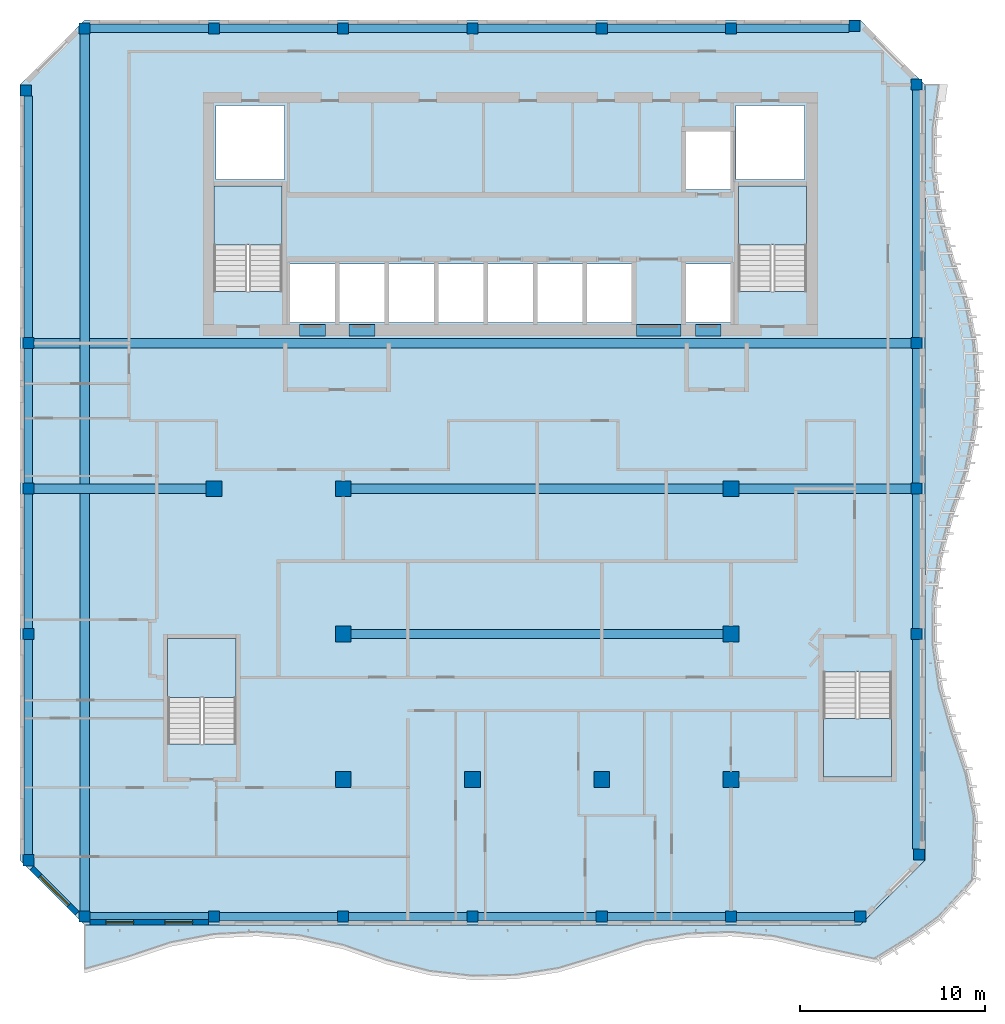
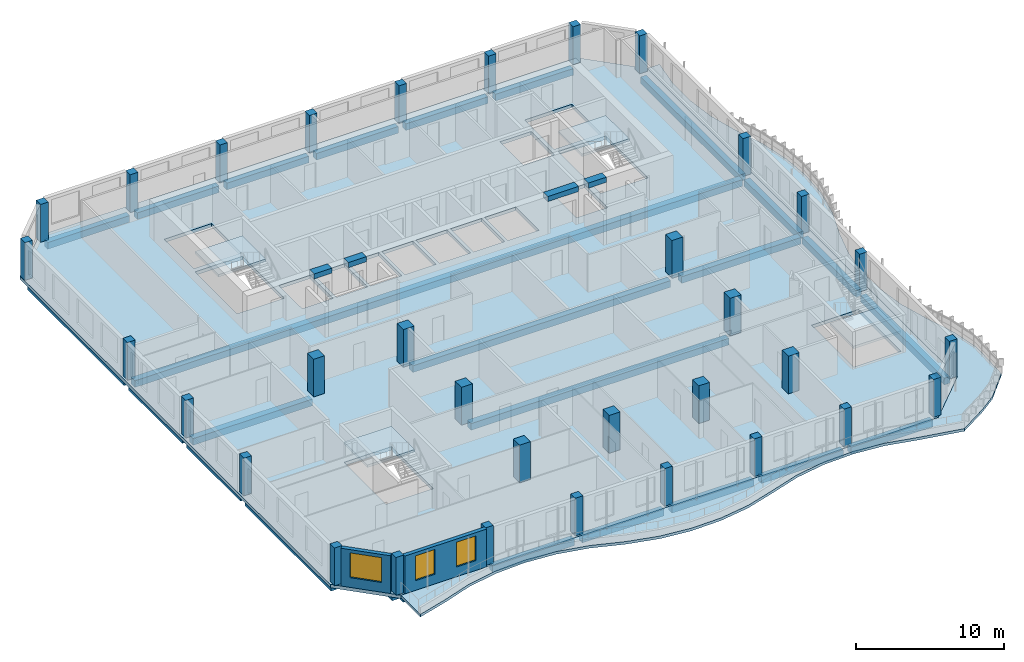
# One storey, part 1 of 17: 33 columns, 30 beams, 6 slabs, 3 windows, 2 walls, 3 openings, 4 elements without a shape of their own.
"""IFC4 building model written with IfcOpenShell, lengths in metres."""

from ifc_helpers import new_model, si_unit, direction, frame, frame_2d, origin, origin_2d, place, context, subcontext, project, spatial, polyline, rectangle, outline, extrude, source, transform, mapped, material, layer, layer_set, material_profile, profile_set, type_object, element, fill, aggregate, save


model = new_model("IFC4")

# Units and contexts
model_context = context("Model", 3, precision=1e-05, world=origin(), true_north=direction((0.0, 1.0)))
body_context = subcontext(model_context, "Body", "Model", "MODEL_VIEW")
ifc_project = project(units=[si_unit("LENGTHUNIT", "METRE"), si_unit("AREAUNIT", "SQUARE_METRE"), si_unit("VOLUMEUNIT", "CUBIC_METRE"), si_unit("PLANEANGLEUNIT", "RADIAN"), si_unit("MASSUNIT", "GRAM", prefix="KILO")], contexts=[model_context])

# Site, building, storey
site_placement = place(None, origin())
site = spatial("IfcSite", under=ifc_project, at=site_placement, CompositionType="ELEMENT")
building_placement = place(site_placement, origin())
building = spatial("IfcBuilding", under=site, at=building_placement, Name="Kilnfold Tower and Market Hall", CompositionType="ELEMENT")
storey_placement = place(building_placement, frame((0.0, 0.0, 305.199951171875)))
storey = spatial("IfcBuildingStorey", under=building, at=storey_placement, Name="L76", CompositionType="ELEMENT", Elevation=305.199951171875)

# Columns
ifc_material_1 = material(Name="Concrete C60", Category="concrete")
ifc_material_profile_1 = material_profile(ifc_material_1, rectangle(XDim=0.60009765625, YDim=0.60009765625, at=origin_2d()), Name="RC 600x600")
ifc_profile_set_1 = profile_set([ifc_material_profile_1], Name="Concrete C60")
column_type_1 = type_object("IfcColumnType", Name="COLUMN 600X600 C60", PredefinedType="COLUMN", material=ifc_profile_set_1)
shared_shape_1 = source(origin(), body_context, "Body", "SweptSolid", [
    extrude(rectangle(XDim=0.60009765625, YDim=0.60009765625, at=origin_2d()), origin(), (0.0, 0.0, 1.0), 3.1201171875),
])
for number, where, z_axis, x_axis, name in (
    (1, (-25.181884765625, 21.681884765625, 0.0), (0.0, 0.0, 1.0), (1.0, 0.0, 0.0), "Column C-B9-1G"),
    (2, (-25.050048828125, -20.0, 0.0), (0.0, 0.0, 1.0), (1.0, 0.0, 0.0), "Column C-B9-1B"),
    (3, (-25.050048828125, -7.75, 0.0), (0.0, 0.0, 1.0), (1.0, 0.0, 0.0), "Column C-B9-1D"),
    (4, (-25.050048828125, 0.125, 0.0), (0.0, 0.0, 1.0), (1.0, 0.0, 0.0), "Column C-B9-1E"),
    (5, (-25.050048828125, 8.0, 0.0), (0.0, 0.0, 1.0), (1.0, 0.0, 0.0), "Column C-B9-1F"),
    (6, (-22.0, -23.050048828125, 0.0), (0.0, 0.0, 1.0), (1.0, 0.0, 0.0), "Column C-B9-2A"),
    (7, (-22.0, 25.050048828125, 0.0), (0.0, 0.0, 1.0), (1.0, 0.0, 0.0), "Column C-B9-2H"),
    (8, (-15.0, -23.050048828125, 0.0), (0.0, 0.0, 1.0), (1.0, 0.0, 0.0), "Column C-B9-3A"),
    (9, (-15.0, 25.050048828125, 0.0), (0.0, 0.0, 1.0), (1.0, 0.0, 0.0), "Column C-B9-3H"),
    (10, (-8.0, -23.050048828125, 0.0), (0.0, 0.0, 1.0), (1.0, 0.0, 0.0), "Column C-B9-4A"),
    (11, (-8.0, 25.050048828125, 0.0), (0.0, 0.0, 1.0), (1.0, 0.0, 0.0), "Column C-B9-4H"),
    (12, (-1.0, -23.050048828125, 0.0), (0.0, 0.0, 1.0), (1.0, 0.0, 0.0), "Column C-B9-5A"),
    (13, (-1.0, 25.050048828125, 0.0), (0.0, 0.0, 1.0), (1.0, 0.0, 0.0), "Column C-B9-5H"),
    (14, (6.0, -23.050048828125, 0.0), (0.0, 0.0, 1.0), (1.0, 0.0, 0.0), "Column C-B9-6A"),
    (15, (6.0, 25.050048828125, 0.0), (0.0, 0.0, 1.0), (1.0, 0.0, 0.0), "Column C-B9-6H"),
    (16, (13.0, -23.050048828125, 0.0), (0.0, 0.0, 1.0), (1.0, 0.0, 0.0), "Column C-B9-7A"),
    (17, (13.0, 25.050048828125, 0.0), (0.0, 0.0, 1.0), (1.0, 0.0, 0.0), "Column C-B9-7H"),
    (18, (19.681884765625, 25.181884765625, 0.0), (0.0, 0.0, 1.0), (1.0, 0.0, 0.0), "Column C-B9-8H"),
    (19, (20.0, -23.050048828125, 0.0), (0.0, 0.0, 1.0), (1.0, 0.0, 0.0), "Column C-B9-8A"),
    (20, (23.050048828125, -7.75, 0.0), (0.0, 0.0, 1.0), (1.0, 0.0, 0.0), "Column C-B9-9D"),
    (21, (23.050048828125, 0.125, 0.0), (0.0, 0.0, 1.0), (1.0, 0.0, 0.0), "Column C-B9-9E"),
    (22, (23.050048828125, 8.0, 0.0), (0.0, 0.0, 1.0), (1.0, 0.0, 0.0), "Column C-B9-9F"),
    (23, (23.050048828125, 22.0, 0.0), (0.0, 0.0, 1.0), (1.0, 0.0, 0.0), "Column C-B9-9G"),
    (24, (23.181884765625, -19.681884765625, 0.0), (0.0, 0.0, 1.0), (1.0, 0.0, 0.0), "Column C-B9-9B"),
):
    element("IfcColumn", number, at=place(storey_placement, frame(where, z_axis=z_axis, x_axis=x_axis)), inside=storey, type_object=column_type_1, Name=name, PredefinedType="COLUMN", context=body_context, shape_type="MappedRepresentation", body=[
        mapped(shared_shape_1, transform((0.0, 0.0, 0.0))),
    ])
ifc_material_2 = material(Name="Concrete C60", Category="concrete")
ifc_material_profile_2 = material_profile(ifc_material_2, rectangle(XDim=0.85009765625, YDim=0.85009765625, at=origin_2d()), Name="RC 850x850")
ifc_profile_set_2 = profile_set([ifc_material_profile_2], Name="Concrete C60")
column_type_2 = type_object("IfcColumnType", Name="COLUMN 850X850 C60", PredefinedType="COLUMN", material=ifc_profile_set_2)
shared_shape_2 = source(origin(), body_context, "Body", "SweptSolid", [
    extrude(rectangle(XDim=0.85009765625, YDim=0.85009765625, at=origin_2d()), origin(), (0.0, 0.0, 1.0), 3.1201171875),
])
for number, where, z_axis, x_axis, name in (
    (25, (-15.0, 0.125, 0.0), (0.0, 0.0, 1.0), (1.0, 0.0, 0.0), "Column C-B9-3E"),
    (26, (-8.0, -15.625, 0.0), (0.0, 0.0, 1.0), (1.0, 0.0, 0.0), "Column C-B9-4C"),
    (27, (-8.0, -7.75, 0.0), (0.0, 0.0, 1.0), (1.0, 0.0, 0.0), "Column C-B9-4D"),
    (28, (-8.0, 0.125, 0.0), (0.0, 0.0, 1.0), (1.0, 0.0, 0.0), "Column C-B9-4E"),
    (29, (-1.0, -15.625, 0.0), (0.0, 0.0, 1.0), (1.0, 0.0, 0.0), "Column C-B9-5C"),
    (30, (6.0, -15.625, 0.0), (0.0, 0.0, 1.0), (1.0, 0.0, 0.0), "Column C-B9-6C"),
    (31, (13.0, -15.625, 0.0), (0.0, 0.0, 1.0), (1.0, 0.0, 0.0), "Column C-B9-7C"),
    (32, (13.0, -7.75, 0.0), (0.0, 0.0, 1.0), (1.0, 0.0, 0.0), "Column C-B9-7D"),
    (33, (13.0, 0.125, 0.0), (0.0, 0.0, 1.0), (1.0, 0.0, 0.0), "Column C-B9-7E"),
):
    element("IfcColumn", number, at=place(storey_placement, frame(where, z_axis=z_axis, x_axis=x_axis)), inside=storey, type_object=column_type_2, Name=name, PredefinedType="COLUMN", context=body_context, shape_type="MappedRepresentation", body=[
        mapped(shared_shape_2, transform((0.0, 0.0, 0.0))),
    ])

# Beams
ifc_material_3 = material(Name="Concrete C50", Category="concrete")
ifc_material_profile_3 = material_profile(ifc_material_3, rectangle(XDim=0.60009765625, YDim=0.419921875, at=origin_2d()), Name="RC 600x420")
ifc_profile_set_3 = profile_set([ifc_material_profile_3], Name="Concrete C50")
beam_type_1 = type_object("IfcBeamType", Name="COUPLING BEAM 600X420 C50", PredefinedType="BEAM", material=ifc_profile_set_3)
shared_shape_3 = source(origin(), body_context, "Body", "SweptSolid", [
    extrude(rectangle(XDim=0.60009765625, YDim=0.419921875, at=origin_2d()), origin(), (0.0, 0.0, 1.0), 1.400146484375),
])
beam_1_placement = place(storey_placement, frame((-10.3701171875, 8.699951171875, 2.91015625), z_axis=(1.0, 0.0, 0.0), x_axis=(0.0, 1.0, 0.0)))
element("IfcBeam", 34, at=beam_1_placement, inside=storey, type_object=beam_type_1, Name="Coupling beam CB420-50-CORE.30", PredefinedType="BEAM", context=body_context, shape_type="MappedRepresentation", body=[
    mapped(shared_shape_3, transform((0.0, 0.0, 0.0))),
])
shared_shape_4 = source(origin(), body_context, "Body", "SweptSolid", [
    extrude(rectangle(XDim=0.60009765625, YDim=0.419921875, at=origin_2d()), origin(), (0.0, 0.0, 1.0), 1.39990234375),
])
for number, where, z_axis, x_axis, name in (
    (35, (-7.68994140625, 8.699951171875, 2.91015625), (1.0, 0.0, 0.0), (0.0, 1.0, 0.0), "Coupling beam CB420-50-CORE.31"),
    (36, (11.070068359375, 8.699951171875, 2.91015625), (1.0, 0.0, 0.0), (0.0, 1.0, 0.0), "Coupling beam CB420-50-CORE.33"),
):
    element("IfcBeam", number, at=place(storey_placement, frame(where, z_axis=z_axis, x_axis=x_axis)), inside=storey, type_object=beam_type_1, Name=name, PredefinedType="BEAM", context=body_context, shape_type="MappedRepresentation", body=[
        mapped(shared_shape_4, transform((0.0, 0.0, 0.0))),
    ])
shared_shape_5 = source(origin(), body_context, "Body", "SweptSolid", [
    extrude(rectangle(XDim=0.60009765625, YDim=0.419921875, at=origin_2d()), origin(), (0.0, 0.0, 1.0), 2.400146484375),
])
beam_2_placement = place(storey_placement, frame((7.889892578125, 8.699951171875, 2.91015625), z_axis=(1.0, 0.0, 0.0), x_axis=(0.0, 1.0, 0.0)))
element("IfcBeam", 37, at=beam_2_placement, inside=storey, type_object=beam_type_1, Name="Coupling beam CB420-50-CORE.32", PredefinedType="BEAM", context=body_context, shape_type="MappedRepresentation", body=[
    mapped(shared_shape_5, transform((0.0, 0.0, 0.0))),
])
ifc_material_4 = material(Name="Concrete C45", Category="concrete")
ifc_material_profile_4 = material_profile(ifc_material_4, rectangle(XDim=0.449951171875, YDim=0.550048828125, at=origin_2d()), Name="RC 450x550")
ifc_profile_set_4 = profile_set([ifc_material_profile_4], Name="Concrete C45")
beam_type_2 = type_object("IfcBeamType", Name="EDGE BEAM 450X550 C45", PredefinedType="BEAM", material=ifc_profile_set_4)
shared_shape_6 = source(origin(), body_context, "Body", "SweptSolid", [
    extrude(rectangle(XDim=0.449951171875, YDim=0.550048828125, at=origin_2d()), origin(), (0.0, 0.0, 1.0), 6.39990234375),
])
for number, where, z_axis, x_axis, name in (
    (38, (-21.699951171875, -23.050048828125, -0.554931640625), (1.0, 0.0, 0.0), (0.0, 1.0, 0.0), "Beam EB550-B9.38"),
    (39, (-14.699951171875, -23.050048828125, -0.554931640625), (1.0, 0.0, 0.0), (0.0, 1.0, 0.0), "Beam EB550-B9.39"),
    (40, (-7.699951171875, -23.050048828125, -0.554931640625), (1.0, 0.0, 0.0), (0.0, 1.0, 0.0), "Beam EB550-B9.40"),
    (41, (-0.699951171875, -23.050048828125, -0.554931640625), (1.0, 0.0, 0.0), (0.0, 1.0, 0.0), "Beam EB550-B9.41"),
    (42, (6.300048828125, -23.050048828125, -0.554931640625), (1.0, 0.0, 0.0), (0.0, 1.0, 0.0), "Beam EB550-B9.42"),
    (43, (13.300048828125, -23.050048828125, -0.554931640625), (1.0, 0.0, 0.0), (0.0, 1.0, 0.0), "Beam EB550-B9.43"),
    (44, (-21.699951171875, 25.050048828125, -0.554931640625), (1.0, 0.0, 0.0), (0.0, 1.0, 0.0), "Beam EB550-B9.49"),
    (45, (-14.699951171875, 25.050048828125, -0.554931640625), (1.0, 0.0, 0.0), (0.0, 1.0, 0.0), "Beam EB550-B9.50"),
    (46, (-7.699951171875, 25.050048828125, -0.554931640625), (1.0, 0.0, 0.0), (0.0, 1.0, 0.0), "Beam EB550-B9.51"),
    (47, (-0.699951171875, 25.050048828125, -0.554931640625), (1.0, 0.0, 0.0), (0.0, 1.0, 0.0), "Beam EB550-B9.52"),
    (48, (6.300048828125, 25.050048828125, -0.554931640625), (1.0, 0.0, 0.0), (0.0, 1.0, 0.0), "Beam EB550-B9.53"),
):
    element("IfcBeam", number, at=place(storey_placement, frame(where, z_axis=z_axis, x_axis=x_axis)), inside=storey, type_object=beam_type_2, Name=name, PredefinedType="BEAM", context=body_context, shape_type="MappedRepresentation", body=[
        mapped(shared_shape_6, transform((0.0, 0.0, 0.0))),
    ])
ifc_material_5 = material(Name="Concrete C45", Category="concrete")
ifc_material_profile_5 = material_profile(ifc_material_5, rectangle(XDim=0.5, YDim=0.550048828125, at=origin_2d()), Name="RC 500x550")
ifc_profile_set_5 = profile_set([ifc_material_profile_5], Name="Concrete C45")
beam_type_3 = type_object("IfcBeamType", Name="BEAM 500X550 C45", PredefinedType="BEAM", material=ifc_profile_set_5)
shared_shape_7 = source(origin(), body_context, "Body", "SweptSolid", [
    extrude(rectangle(XDim=0.5, YDim=0.550048828125, at=origin_2d()), origin(), (0.0, 0.0, 1.0), 20.14990234375),
])
for number, where, z_axis, x_axis, name in (
    (49, (-7.574951171875, -7.75, -0.554931640625), (1.0, 0.0, 0.0), (0.0, 1.0, 0.0), "Beam BB550-B9.44"),
    (50, (-7.574951171875, 0.1201171875, -0.554931640625), (1.0, 0.0, 0.0), (0.0, 1.0, 0.0), "Beam BB550-B9.46"),
):
    element("IfcBeam", number, at=place(storey_placement, frame(where, z_axis=z_axis, x_axis=x_axis)), inside=storey, type_object=beam_type_3, Name=name, PredefinedType="BEAM", context=body_context, shape_type="MappedRepresentation", body=[
        mapped(shared_shape_7, transform((0.0, 0.0, 0.0))),
    ])
shared_shape_8 = source(origin(), body_context, "Body", "SweptSolid", [
    extrude(rectangle(XDim=0.5, YDim=0.550048828125, at=origin_2d()), origin(), (0.0, 0.0, 1.0), 9.324951171875),
])
for number, where, z_axis, x_axis, name in (
    (51, (-24.75, 0.1201171875, -0.554931640625), (1.0, 0.0, 0.0), (0.0, 1.0, 0.0), "Beam BB550-B9.45"),
    (52, (13.425048828125, 0.1201171875, -0.554931640625), (1.0, 0.0, 0.0), (0.0, 1.0, 0.0), "Beam BB550-B9.47"),
):
    element("IfcBeam", number, at=place(storey_placement, frame(where, z_axis=z_axis, x_axis=x_axis)), inside=storey, type_object=beam_type_3, Name=name, PredefinedType="BEAM", context=body_context, shape_type="MappedRepresentation", body=[
        mapped(shared_shape_8, transform((0.0, 0.0, 0.0))),
    ])
shared_shape_9 = source(origin(), body_context, "Body", "SweptSolid", [
    extrude(rectangle(XDim=0.5, YDim=0.550048828125, at=origin_2d()), origin(), (0.0, 0.0, 1.0), 47.5),
])
for number, where, z_axis, x_axis, name in (
    (53, (-24.75, 8.0, -0.554931640625), (1.0, 0.0, 0.0), (0.0, 1.0, 0.0), "Beam BB550-B9.48"),
    (54, (-22.0, -22.75, -0.554931640625), (0.0, 1.0, 0.0), (-1.0, 0.0, 0.0), "Beam BB550-B9.59"),
):
    element("IfcBeam", number, at=place(storey_placement, frame(where, z_axis=z_axis, x_axis=x_axis)), inside=storey, type_object=beam_type_3, Name=name, PredefinedType="BEAM", context=body_context, shape_type="MappedRepresentation", body=[
        mapped(shared_shape_9, transform((0.0, 0.0, 0.0))),
    ])
shared_shape_10 = source(origin(), body_context, "Body", "SweptSolid", [
    extrude(rectangle(XDim=0.449951171875, YDim=0.550048828125, at=origin_2d()), origin(), (0.0, 0.0, 1.0), 6.081787109375),
])
beam_3_placement = place(storey_placement, frame((13.300048828125, 25.050048828125, -0.554931640625), z_axis=(1.0, 0.0, 0.0), x_axis=(0.0, 1.0, 0.0)))
element("IfcBeam", 55, at=beam_3_placement, inside=storey, type_object=beam_type_2, Name="Beam EB550-B9.54", PredefinedType="BEAM", context=body_context, shape_type="MappedRepresentation", body=[
    mapped(shared_shape_10, transform((0.0, 0.0, 0.0))),
])
shared_shape_11 = source(origin(), body_context, "Body", "SweptSolid", [
    extrude(rectangle(XDim=0.449951171875, YDim=0.550048828125, at=origin_2d()), origin(), (0.0, 0.0, 1.0), 11.64990234375),
])
beam_4_placement = place(storey_placement, frame((-25.050048828125, -19.699951171875, -0.554931640625), z_axis=(0.0, 1.0, 0.0), x_axis=(-1.0, 0.0, 0.0)))
element("IfcBeam", 56, at=beam_4_placement, inside=storey, type_object=beam_type_2, Name="Beam EB550-B9.55", PredefinedType="BEAM", context=body_context, shape_type="MappedRepresentation", body=[
    mapped(shared_shape_11, transform((0.0, 0.0, 0.0))),
])
shared_shape_12 = source(origin(), body_context, "Body", "SweptSolid", [
    extrude(rectangle(XDim=0.449951171875, YDim=0.550048828125, at=origin_2d()), origin(), (0.0, 0.0, 1.0), 7.27490234375),
])
for number, where, z_axis, x_axis, name in (
    (57, (-25.050048828125, -7.449951171875, -0.554931640625), (0.0, 1.0, 0.0), (-1.0, 0.0, 0.0), "Beam EB550-B9.56"),
    (58, (-25.050048828125, 0.425048828125, -0.554931640625), (0.0, 1.0, 0.0), (-1.0, 0.0, 0.0), "Beam EB550-B9.57"),
    (59, (23.050048828125, -7.449951171875, -0.554931640625), (0.0, 1.0, 0.0), (-1.0, 0.0, 0.0), "Beam EB550-B9.61"),
    (60, (23.050048828125, 0.425048828125, -0.554931640625), (0.0, 1.0, 0.0), (-1.0, 0.0, 0.0), "Beam EB550-B9.62"),
):
    element("IfcBeam", number, at=place(storey_placement, frame(where, z_axis=z_axis, x_axis=x_axis)), inside=storey, type_object=beam_type_2, Name=name, PredefinedType="BEAM", context=body_context, shape_type="MappedRepresentation", body=[
        mapped(shared_shape_12, transform((0.0, 0.0, 0.0))),
    ])
shared_shape_13 = source(origin(), body_context, "Body", "SweptSolid", [
    extrude(rectangle(XDim=0.449951171875, YDim=0.550048828125, at=origin_2d()), origin(), (0.0, 0.0, 1.0), 13.081787109375),
])
beam_5_placement = place(storey_placement, frame((-25.050048828125, 8.300048828125, -0.554931640625), z_axis=(0.0, 1.0, 0.0), x_axis=(-1.0, 0.0, 0.0)))
element("IfcBeam", 61, at=beam_5_placement, inside=storey, type_object=beam_type_2, Name="Beam EB550-B9.58", PredefinedType="BEAM", context=body_context, shape_type="MappedRepresentation", body=[
    mapped(shared_shape_13, transform((0.0, 0.0, 0.0))),
])
shared_shape_14 = source(origin(), body_context, "Body", "SweptSolid", [
    extrude(rectangle(XDim=0.449951171875, YDim=0.550048828125, at=origin_2d()), origin(), (0.0, 0.0, 1.0), 11.331787109375),
])
beam_6_placement = place(storey_placement, frame((23.050048828125, -19.3818359375, -0.554931640625), z_axis=(0.0, 1.0, 0.0), x_axis=(-1.0, 0.0, 0.0)))
element("IfcBeam", 62, at=beam_6_placement, inside=storey, type_object=beam_type_2, Name="Beam EB550-B9.60", PredefinedType="BEAM", context=body_context, shape_type="MappedRepresentation", body=[
    mapped(shared_shape_14, transform((0.0, 0.0, 0.0))),
])
shared_shape_15 = source(origin(), body_context, "Body", "SweptSolid", [
    extrude(rectangle(XDim=0.449951171875, YDim=0.550048828125, at=origin_2d()), origin(), (0.0, 0.0, 1.0), 13.39990234375),
])
beam_7_placement = place(storey_placement, frame((23.050048828125, 8.300048828125, -0.554931640625), z_axis=(0.0, 1.0, 0.0), x_axis=(-1.0, 0.0, 0.0)))
element("IfcBeam", 63, at=beam_7_placement, inside=storey, type_object=beam_type_2, Name="Beam EB550-B9.63", PredefinedType="BEAM", context=body_context, shape_type="MappedRepresentation", body=[
    mapped(shared_shape_15, transform((0.0, 0.0, 0.0))),
])

# Slabs
ifc_material_6 = material(Name="Concrete C45", Category="concrete")
ifc_layer_1 = layer(ifc_material_6, 0.280029296875)
ifc_layer_set_1 = layer_set([ifc_layer_1], Name="Concrete C45")
slab_type_1 = type_object("IfcSlabType", Name="FLOOR SLAB 280", PredefinedType="FLOOR", material=ifc_layer_set_1)
shared_shape_16 = source(origin(), body_context, "Body", "SweptSolid", [
    extrude(outline(polyline([(-22.0, -23.5), (20.0, -23.5), (23.5, -20.0), (23.5, 22.0), (20.0, 25.5), (-22.0, 25.5), (-25.5, 22.0), (-25.5, -20.0), (-22.0, -23.5)]), holes=[polyline([(-13.800537109375, -8.00048828125), (-13.800537109375, -13.699462890625), (-17.49951171875, -13.699462890625), (-17.49951171875, -8.00048828125), (-13.800537109375, -8.00048828125)]), polyline([(-11.300537109375, 10.800537109375), (-14.99951171875, 10.800537109375), (-14.99951171875, 16.49951171875), (-11.300537109375, 16.49951171875), (-11.300537109375, 10.800537109375)]), polyline([(-11.175048828125, 16.875), (-14.875, 16.875), (-14.875, 20.875), (-11.175048828125, 20.875), (-11.175048828125, 16.875)]), polyline([(-8.455078125, 9.125), (-10.885009765625, 9.125), (-10.885009765625, 12.27490234375), (-8.455078125, 12.27490234375), (-8.455078125, 9.125)]), polyline([(-5.77490234375, 9.125), (-8.205078125, 9.125), (-8.205078125, 12.27490234375), (-5.77490234375, 12.27490234375), (-5.77490234375, 9.125)]), polyline([(-3.094970703125, 9.125), (-5.52490234375, 9.125), (-5.52490234375, 12.27490234375), (-3.094970703125, 12.27490234375), (-3.094970703125, 9.125)]), polyline([(-0.4150390625, 9.125), (-2.844970703125, 9.125), (-2.844970703125, 12.27490234375), (-0.4150390625, 12.27490234375), (-0.4150390625, 9.125)]), polyline([(2.264892578125, 9.125), (-0.1650390625, 9.125), (-0.1650390625, 12.27490234375), (2.264892578125, 12.27490234375), (2.264892578125, 9.125)]), polyline([(4.945068359375, 9.125), (2.514892578125, 9.125), (2.514892578125, 12.27490234375), (4.945068359375, 12.27490234375), (4.945068359375, 9.125)]), polyline([(7.625, 9.125), (5.195068359375, 9.125), (5.195068359375, 12.27490234375), (7.625, 12.27490234375), (7.625, 9.125)]), polyline([(12.985107421875, 9.125), (10.554931640625, 9.125), (10.554931640625, 12.27490234375), (12.985107421875, 12.27490234375), (12.985107421875, 9.125)]), polyline([(12.985107421875, 16.324951171875), (10.554931640625, 16.324951171875), (10.554931640625, 19.47509765625), (12.985107421875, 19.47509765625), (12.985107421875, 16.324951171875)]), polyline([(16.97509765625, 16.875), (13.27490234375, 16.875), (13.27490234375, 20.875), (16.97509765625, 20.875), (16.97509765625, 16.875)]), polyline([(17.099609375, 10.800537109375), (13.400390625, 10.800537109375), (13.400390625, 16.49951171875), (17.099609375, 16.49951171875), (17.099609375, 10.800537109375)]), polyline([(18.00048828125, -9.800537109375), (21.699462890625, -9.800537109375), (21.699462890625, -15.49951171875), (18.00048828125, -15.49951171875), (18.00048828125, -9.800537109375)])]), origin(), (0.0, 0.0, 1.0), 0.280029296875),
])
slab_1_placement = place(storey_placement, frame((0.0, 0.0, -0.280029296875)))
element("IfcSlab", 64, at=slab_1_placement, inside=storey, type_object=slab_type_1, Name="Floor slab L76", PredefinedType="FLOOR", context=body_context, shape_type="MappedRepresentation", body=[
    mapped(shared_shape_16, transform((0.0, 0.0, 0.0))),
])
ifc_material_7 = material(Name="Concrete C40/50", Category="concrete")
ifc_layer_2 = layer(ifc_material_7, 0.219970703125)
ifc_layer_set_2 = layer_set([ifc_layer_2], Name="Concrete C40/50")
slab_type_2 = type_object("IfcSlabType", Name="BALCONY SLAB 220", PredefinedType="FLOOR", material=ifc_layer_set_2)
shared_shape_17 = source(origin(), body_context, "Body", "SweptSolid", [
    extrude(outline(polyline([(-22.0, -23.5), (20.0, -23.5), (23.5, -20.0), (23.5, 22.0), (24.482421875, 22.0), (24.1484375, 19.666748046875), (24.130859375, 17.333251953125), (24.428955078125, 15.0), (25.059814453125, 12.666748046875), (25.862060546875, 10.333251953125), (26.34228515625, 8.0), (26.5, 5.666748046875), (26.343505859375, 3.333251953125), (25.864501953125, 1.0), (25.06298828125, -1.333251953125), (24.4306640625, -3.666748046875), (24.13134765625, -6.0), (24.147705078125, -8.333251953125), (24.480712890625, -10.666748046875), (25.1494140625, -13.0), (25.930419921875, -15.333251953125), (26.374755859375, -17.666748046875), (26.27001953125, -21.1474609375), (24.38134765625, -23.214599609375), (23.02978515625, -24.1962890625), (20.844482421875, -25.53857421875), (17.666748046875, -24.88671875), (15.333251953125, -24.33349609375), (13.0, -24.107421875), (10.666748046875, -24.19580078125), (8.333251953125, -24.603515625), (6.0, -25.35302734375), (3.666748046875, -26.061767578125), (1.333251953125, -26.430908203125), (-1.0, -26.482421875), (-3.333251953125, -26.218994140625), (-5.666748046875, -25.62548828125), (-8.0, -24.810302734375), (-10.333251953125, -24.293701171875), (-12.666748046875, -24.101806640625), (-15.0, -24.22412109375), (-17.333251953125, -24.66748046875), (-19.666748046875, -25.447265625), (-22.0, -26.117431640625), (-22.0, -23.5)])), origin(), (0.0, 0.0, 1.0), 0.219970703125),
])
slab_2_placement = place(storey_placement, frame((0.0, 0.0, -0.219970703125)))
element("IfcSlab", 65, at=slab_2_placement, inside=storey, type_object=slab_type_2, Name="Balcony slab L76", PredefinedType="FLOOR", context=body_context, shape_type="MappedRepresentation", body=[
    mapped(shared_shape_17, transform((0.0, 0.0, 0.0))),
])

# Stair, slab
ifc_material_8 = material(Name="Concrete C40/50", Category="concrete")
stair_type = type_object("IfcStairType", Name="CORE STAIR 1800", PredefinedType="HALF_TURN_STAIR", material=ifc_material_8)
stair_1_placement = place(storey_placement, origin())
stair_1 = element("IfcStair", 66, at=stair_1_placement, inside=storey, type_object=stair_type, Name="L76 ST1", PredefinedType="HALF_TURN_STAIR")
ifc_material_9 = material(Name="Concrete C40/50", Category="concrete")
ifc_layer_3 = layer(ifc_material_9, 0.199951171875)
ifc_layer_set_3 = layer_set([ifc_layer_3], Name="Concrete C40/50")
slab_type_3 = type_object("IfcSlabType", Name="CORE STAIR LANDING 200", PredefinedType="LANDING", material=ifc_layer_set_3)
shared_shape_18 = source(origin(), body_context, "Body", "SweptSolid", [
    extrude(outline(polyline([(-11.300048828125, 13.320068359375), (-11.300048828125, 16.5), (-15.0, 16.5), (-15.0, 13.320068359375), (-11.300048828125, 13.320068359375)])), origin(), (0.0, 0.0, 1.0), 0.199951171875),
])
slab_3_placement = place(storey_placement, frame((0.0, 0.0, 1.5)))
slab_3 = element("IfcSlab", 67, at=slab_3_placement, type_object=slab_type_3, Name="ST1 landing 1", PredefinedType="LANDING", context=body_context, shape_type="MappedRepresentation", body=[
    mapped(shared_shape_18, transform((0.0, 0.0, 0.0))),
])
aggregate(stair_1, [slab_3])

stair_2_placement = place(storey_placement, origin())
stair_2 = element("IfcStair", 68, at=stair_2_placement, inside=storey, type_object=stair_type, Name="L76 ST2", PredefinedType="HALF_TURN_STAIR")
shared_shape_19 = source(origin(), body_context, "Body", "SweptSolid", [
    extrude(outline(polyline([(17.10009765625, 13.320068359375), (17.10009765625, 16.5), (13.39990234375, 16.5), (13.39990234375, 13.320068359375), (17.10009765625, 13.320068359375)])), origin(), (0.0, 0.0, 1.0), 0.199951171875),
])
slab_4_placement = place(storey_placement, frame((0.0, 0.0, 1.5)))
slab_4 = element("IfcSlab", 69, at=slab_4_placement, type_object=slab_type_3, Name="ST2 landing 1", PredefinedType="LANDING", context=body_context, shape_type="MappedRepresentation", body=[
    mapped(shared_shape_19, transform((0.0, 0.0, 0.0))),
])
aggregate(stair_2, [slab_4])

stair_3_placement = place(storey_placement, origin())
stair_3 = element("IfcStair", 70, at=stair_3_placement, inside=storey, type_object=stair_type, Name="L76 ST3", PredefinedType="HALF_TURN_STAIR")
shared_shape_20 = source(origin(), body_context, "Body", "SweptSolid", [
    extrude(outline(polyline([(-13.800048828125, -11.179931640625), (-13.800048828125, -8.0), (-17.5, -8.0), (-17.5, -11.179931640625), (-13.800048828125, -11.179931640625)])), origin(), (0.0, 0.0, 1.0), 0.199951171875),
])
slab_5_placement = place(storey_placement, frame((0.0, 0.0, 1.5)))
slab_5 = element("IfcSlab", 71, at=slab_5_placement, type_object=slab_type_3, Name="ST3 landing 1", PredefinedType="LANDING", context=body_context, shape_type="MappedRepresentation", body=[
    mapped(shared_shape_20, transform((0.0, 0.0, 0.0))),
])
aggregate(stair_3, [slab_5])

stair_4_placement = place(storey_placement, origin())
stair_4 = element("IfcStair", 72, at=stair_4_placement, inside=storey, type_object=stair_type, Name="L76 ST4", PredefinedType="HALF_TURN_STAIR")
shared_shape_21 = source(origin(), body_context, "Body", "SweptSolid", [
    extrude(outline(polyline([(18.0, -12.320068359375), (18.0, -15.5), (21.699951171875, -15.5), (21.699951171875, -12.320068359375), (18.0, -12.320068359375)])), origin(), (0.0, 0.0, 1.0), 0.199951171875),
])
slab_6_placement = place(storey_placement, frame((0.0, 0.0, 1.5)))
slab_6 = element("IfcSlab", 73, at=slab_6_placement, type_object=slab_type_3, Name="ST4 landing 1", PredefinedType="LANDING", context=body_context, shape_type="MappedRepresentation", body=[
    mapped(shared_shape_21, transform((0.0, 0.0, 0.0))),
])
aggregate(stair_4, [slab_6])

# Wall, openings, windows
ifc_material_10 = material(Name="Precast concrete C50/60", Category="concrete")
ifc_layer_4 = layer(ifc_material_10, 0.300048828125)
ifc_layer_set_4 = layer_set([ifc_layer_4], Name="Precast concrete C50/60")
wall_type = type_object("IfcWallType", Name="PRECAST WALL 300", PredefinedType="SOLIDWALL", material=ifc_layer_set_4)
shared_shape_22 = source(origin(), body_context, "Body", "SweptSolid", [
    extrude(rectangle(XDim=6.39990234375, YDim=0.300048828125, at=frame_2d((3.199951171875, 0.0))), origin(), (0.0, 0.0, 1.0), 3.1201171875),
])
wall_1_placement = place(storey_placement, frame((-21.699951171875, -23.35009765625, 0.0), z_axis=(0.0, 0.0, 1.0), x_axis=(1.0, 0.0, 0.0)))
wall_1 = element("IfcWall", 74, at=wall_1_placement, inside=storey, type_object=wall_type, Name="External wall L76 S", PredefinedType="SOLIDWALL", context=body_context, shape_type="MappedRepresentation", body=[
    mapped(shared_shape_22, transform((0.0, 0.0, 0.0))),
])
opening_1_placement = place(wall_1_placement, frame((0.85009765625, 0.0, 0.800048828125)))
opening_1 = element("IfcOpeningElement", 75, at=opening_1_placement, cuts=wall_1, Name="Opening W5", PredefinedType="OPENING", context=body_context, shape_type="SweptSolid", body=[
    extrude(rectangle(XDim=1.5, YDim=2.050048828125, at=frame_2d((0.75, 1.02490234375))), frame((0.0, 0.16015625, 0.0), z_axis=(0.0, -1.0, 0.0), x_axis=(1.0, 0.0, 0.0)), (0.0, 0.0, 1.0), 0.320068359375),
])
opening_2_placement = place(wall_1_placement, frame((4.050048828125, 0.0, 0.800048828125)))
opening_2 = element("IfcOpeningElement", 76, at=opening_2_placement, cuts=wall_1, Name="Opening W5", PredefinedType="OPENING", context=body_context, shape_type="SweptSolid", body=[
    extrude(rectangle(XDim=1.5, YDim=2.050048828125, at=frame_2d((0.75, 1.02490234375))), frame((0.0, 0.16015625, 0.0), z_axis=(0.0, -1.0, 0.0), x_axis=(1.0, 0.0, 0.0)), (0.0, 0.0, 1.0), 0.320068359375),
])
ifc_material_11 = material(Name="Aluminium frame and double glazing", Category="aluminium")
window_type_1 = type_object("IfcWindowType", Name="WINDOW W5 1500X2050", PartitioningType="SINGLE_PANEL", PredefinedType="WINDOW", material=ifc_material_11)
window_1_placement = place(opening_1_placement, origin())
window_1 = element("IfcWindow", 77, at=window_1_placement, inside=storey, type_object=window_type_1, Name="Window W5 L76 S-1", OverallHeight=2.050048828125, OverallWidth=1.5, PartitioningType="SINGLE_PANEL", PredefinedType="WINDOW", context=body_context, shape_type="SweptSolid", body=[
    extrude(rectangle(XDim=1.5, YDim=2.050048828125, at=frame_2d((0.75, 1.02490234375))), frame((0.0, 0.030029296875, 0.0), z_axis=(0.0, -1.0, 0.0), x_axis=(1.0, 0.0, 0.0)), (0.0, 0.0, 1.0), 0.06005859375),
])
fill(opening_1, window_1)
window_2_placement = place(opening_2_placement, origin())
window_2 = element("IfcWindow", 78, at=window_2_placement, inside=storey, type_object=window_type_1, Name="Window W5 L76 S-2", OverallHeight=2.050048828125, OverallWidth=1.5, PartitioningType="SINGLE_PANEL", PredefinedType="WINDOW", context=body_context, shape_type="SweptSolid", body=[
    extrude(rectangle(XDim=1.5, YDim=2.050048828125, at=frame_2d((0.75, 1.02490234375))), frame((0.0, 0.030029296875, 0.0), z_axis=(0.0, -1.0, 0.0), x_axis=(1.0, 0.0, 0.0)), (0.0, 0.0, 1.0), 0.06005859375),
])
fill(opening_2, window_2)

# Wall, opening, window
shared_shape_23 = source(origin(), body_context, "Body", "SweptSolid", [
    extrude(rectangle(XDim=3.46484375, YDim=0.300048828125, at=frame_2d((1.732421875, 0.0))), origin(), (0.0, 0.0, 1.0), 3.1201171875),
])
wall_2_placement = place(storey_placement, frame((-24.868896484375, -20.4189453125, 0.0), z_axis=(0.0, 0.0, 1.0), x_axis=(0.707106781187, -0.707106781187, 0.0)))
wall_2 = element("IfcWall", 79, at=wall_2_placement, inside=storey, type_object=wall_type, Name="External wall L76 SW", PredefinedType="SOLIDWALL", context=body_context, shape_type="MappedRepresentation", body=[
    mapped(shared_shape_23, transform((0.0, 0.0, 0.0))),
])
opening_3_placement = place(wall_2_placement, frame((0.63232421875, 0.0, 0.800048828125)))
opening_3 = element("IfcOpeningElement", 80, at=opening_3_placement, cuts=wall_2, Name="Opening W3", PredefinedType="OPENING", context=body_context, shape_type="SweptSolid", body=[
    extrude(rectangle(XDim=2.199951171875, YDim=2.050048828125, at=frame_2d((1.10009765625, 1.02490234375))), frame((0.0, 0.16015625, 0.0), z_axis=(0.0, -1.0, 0.0), x_axis=(1.0, 0.0, 0.0)), (0.0, 0.0, 1.0), 0.320068359375),
])
ifc_material_12 = material(Name="Aluminium frame and double glazing", Category="aluminium")
window_type_2 = type_object("IfcWindowType", Name="WINDOW W3 2200X2050", PartitioningType="SINGLE_PANEL", PredefinedType="WINDOW", material=ifc_material_12)
window_3_placement = place(opening_3_placement, origin())
window_3 = element("IfcWindow", 81, at=window_3_placement, inside=storey, type_object=window_type_2, Name="Window W3 L76 SW-1", OverallHeight=2.050048828125, OverallWidth=2.199951171875, PartitioningType="SINGLE_PANEL", PredefinedType="WINDOW", context=body_context, shape_type="SweptSolid", body=[
    extrude(rectangle(XDim=2.199951171875, YDim=2.050048828125, at=frame_2d((1.10009765625, 1.02490234375))), frame((0.0, 0.030029296875, 0.0), z_axis=(0.0, -1.0, 0.0), x_axis=(1.0, 0.0, 0.0)), (0.0, 0.0, 1.0), 0.06005859375),
])
fill(opening_3, window_3)

save(model, "model.ifc")
